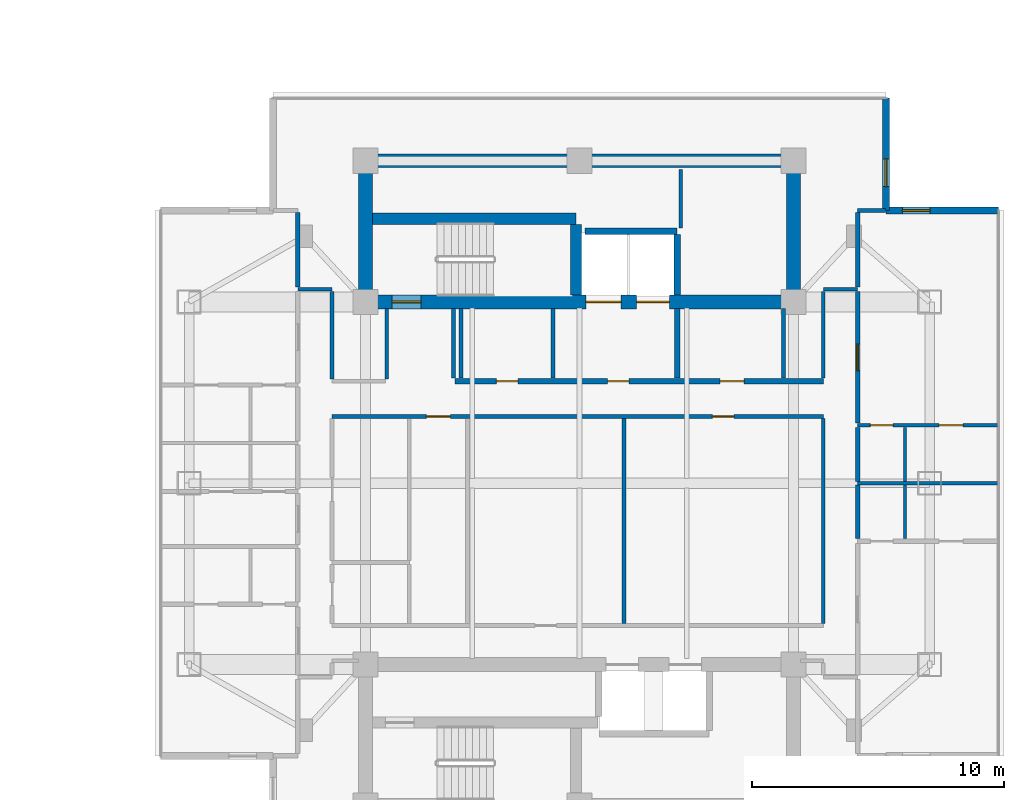
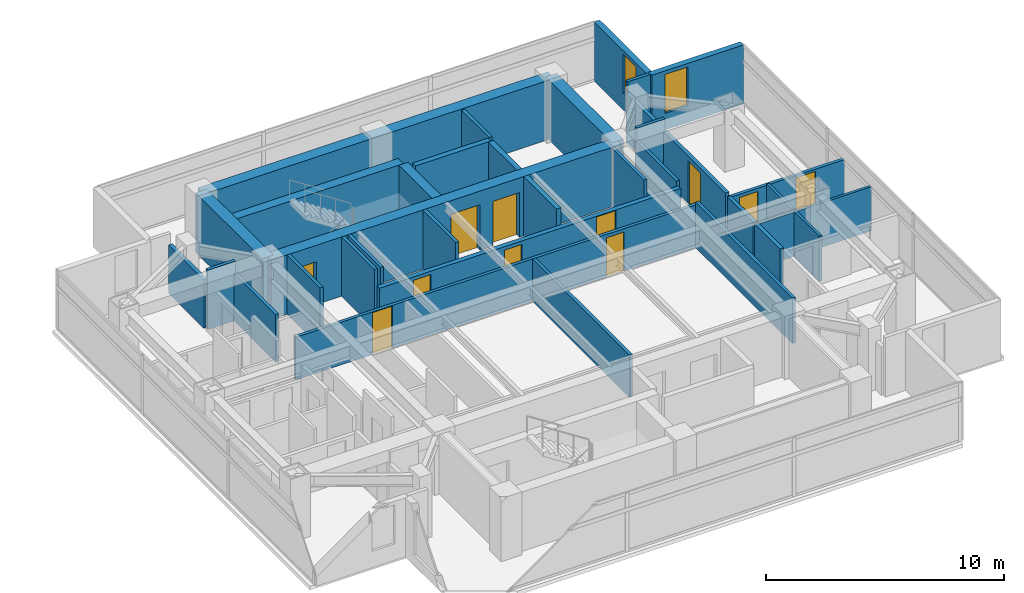
# One storey, part 17 of 24: 35 walls, 11 doors, 2 windows, 13 openings.
"""IFC4 building model written with IfcOpenShell, lengths in metres."""

from ifc_helpers import new_model, si_unit, direction, frame, frame_2d, origin, place, context, subcontext, project, spatial, rectangle, extrude, material, layer, layer_set, type_object, element, fill, save


model = new_model("IFC4")

# Units and contexts
model_context = context("Model", 3, precision=1e-05, world=origin(), true_north=direction((0.0, 1.0)))
body_context = subcontext(model_context, "Body", "Model", "MODEL_VIEW")
ifc_project = project(units=[si_unit("LENGTHUNIT", "METRE"), si_unit("AREAUNIT", "SQUARE_METRE"), si_unit("VOLUMEUNIT", "CUBIC_METRE"), si_unit("PLANEANGLEUNIT", "RADIAN"), si_unit("MASSUNIT", "GRAM", prefix="KILO")], contexts=[model_context])

# Site, building, storey
site_placement = place(None, origin())
site = spatial("IfcSite", under=ifc_project, at=site_placement, CompositionType="ELEMENT")
building_placement = place(site_placement, origin())
building = spatial("IfcBuilding", under=site, at=building_placement, Name="Mirazonda Arch Towers", CompositionType="ELEMENT")
storey_placement = place(building_placement, frame((0.0, 0.0, 154.39990234375)))
storey = spatial("IfcBuildingStorey", under=building, at=storey_placement, Name="L43", CompositionType="ELEMENT", Elevation=154.39990234375)

# Walls
ifc_material_1 = material(Name="Concrete C50/60", Category="concrete")
ifc_layer_1 = layer(ifc_material_1, 0.449951171875, Name="WALL-CORE-450")
ifc_layer_set_1 = layer_set([ifc_layer_1], Name="Concrete C50/60")
wall_type_1 = type_object("IfcWallType", Name="WALL-CORE-450", PredefinedType="SHEAR", material=ifc_layer_set_1)
wall_1_placement = place(storey_placement, frame((68.27001953125, 38.5, 0.0), z_axis=(0.0, 0.0, 1.0), x_axis=(1.0, 0.0, 0.0)))
element("IfcWall", 1, at=wall_1_placement, inside=storey, type_object=wall_type_1, Name="L43 Stair Core Shear Wall 056", PredefinedType="SHEAR", context=body_context, shape_type="SweptSolid", body=[
    extrude(rectangle(XDim=8.090087890625, YDim=0.449951171875, at=frame_2d((4.044921875, 0.0))), origin(), (0.0, 0.0, 1.0), 3.050048828125),
])
wall_2_placement = place(storey_placement, frame((76.360107421875, 35.469970703125, 0.0), z_axis=(0.0, 0.0, 1.0), x_axis=(0.0, 1.0, 0.0)))
element("IfcWall", 2, at=wall_2_placement, inside=storey, type_object=wall_type_1, Name="L43 Stair Core Shear Wall 148", PredefinedType="SHEAR", context=body_context, shape_type="SweptSolid", body=[
    extrude(rectangle(XDim=2.794921875, YDim=0.449951171875, at=frame_2d((1.3974609375, 0.0))), origin(), (0.0, 0.0, 1.0), 3.050048828125),
])
ifc_layer_2 = layer(ifc_material_1, 0.550048828125, Name="WALL-CORE-550")
ifc_layer_set_2 = layer_set([ifc_layer_2], Name="Concrete C50/60")
wall_type_2 = type_object("IfcWallType", Name="WALL-CORE-550", PredefinedType="SHEAR", material=ifc_layer_set_2)
wall_3_placement = place(storey_placement, frame((68.0, 40.800048828125, 0.0), z_axis=(0.0, 0.0, 1.0), x_axis=(1.0, 0.0, 0.0)))
element("IfcWall", 3, at=wall_3_placement, inside=storey, type_object=wall_type_2, Name="L43 T2N-N Core Shear Wall", PredefinedType="SHEAR", context=body_context, shape_type="SweptSolid", body=[
    extrude(rectangle(XDim=17.0, YDim=0.550048828125, at=frame_2d((8.5, 0.0))), origin(), (0.0, 0.0, 1.0), 3.050048828125),
])
for number, where, z_axis, x_axis, name in (
    (4, (68.0, 35.199951171875, 0.0), (0.0, 0.0, 1.0), (0.0, 1.0, 0.0), "L43 T2N-W Core Shear Wall"),
    (5, (85.0, 35.199951171875, 0.0), (0.0, 0.0, 1.0), (0.0, 1.0, 0.0), "L43 T2N-E Core Shear Wall"),
):
    element("IfcWall", number, at=place(storey_placement, frame(where, z_axis=z_axis, x_axis=x_axis)), inside=storey, type_object=wall_type_2, Name=name, PredefinedType="SHEAR", context=body_context, shape_type="SweptSolid", body=[
        extrude(rectangle(XDim=5.60009765625, YDim=0.550048828125, at=frame_2d((2.800048828125, 0.0))), origin(), (0.0, 0.0, 1.0), 3.050048828125),
    ])

# Wall, openings, doors
wall_4_placement = place(storey_placement, frame((68.0, 35.199951171875, 0.0), z_axis=(0.0, 0.0, 1.0), x_axis=(1.0, 0.0, 0.0)))
wall_4 = element("IfcWall", 6, at=wall_4_placement, inside=storey, type_object=wall_type_2, Name="L43 T2N-S Core Shear Wall", PredefinedType="SHEAR", context=body_context, shape_type="SweptSolid", body=[
    extrude(rectangle(XDim=17.0, YDim=0.550048828125, at=frame_2d((8.5, 0.0))), origin(), (0.0, 0.0, 1.0), 3.050048828125),
])
opening_1_placement = place(wall_4_placement, frame((1.06005859375, 0.0, 0.0)))
opening_1 = element("IfcOpeningElement", 7, at=opening_1_placement, cuts=wall_4, Name="Opening DR-135", PredefinedType="OPENING", context=body_context, shape_type="SweptSolid", body=[
    extrude(rectangle(XDim=1.14990234375, YDim=2.199951171875, at=frame_2d((0.574951171875, 1.10009765625))), frame((0.0, 0.284912109375, 0.0), z_axis=(0.0, -1.0, 0.0), x_axis=(1.0, 0.0, 0.0)), (0.0, 0.0, 1.0), 0.570068359375),
])
opening_2_placement = place(wall_4_placement, frame((8.75, 0.0, 0.0)))
opening_2 = element("IfcOpeningElement", 8, at=opening_2_placement, cuts=wall_4, Name="Opening LD-112", PredefinedType="OPENING", context=body_context, shape_type="SweptSolid", body=[
    extrude(rectangle(XDim=1.39990234375, YDim=2.35009765625, at=frame_2d((0.699951171875, 1.175048828125))), frame((0.0, 0.284912109375, 0.0), z_axis=(0.0, -1.0, 0.0), x_axis=(1.0, 0.0, 0.0)), (0.0, 0.0, 1.0), 0.570068359375),
])
opening_3_placement = place(wall_4_placement, frame((10.77001953125, 0.0, 0.0)))
opening_3 = element("IfcOpeningElement", 9, at=opening_3_placement, cuts=wall_4, Name="Opening LD-111", PredefinedType="OPENING", context=body_context, shape_type="SweptSolid", body=[
    extrude(rectangle(XDim=1.300048828125, YDim=2.300048828125, at=frame_2d((0.64990234375, 1.14990234375))), frame((0.0, 0.284912109375, 0.0), z_axis=(0.0, -1.0, 0.0), x_axis=(1.0, 0.0, 0.0)), (0.0, 0.0, 1.0), 0.570068359375),
])
ifc_material_2 = material(Name="Architectural Brushed Steel S355", Category="steel")
door_type_1 = type_object("IfcDoorType", Name="DOOR-LIFT-FFL-1400", OperationType="NOTDEFINED", PredefinedType="DOOR", material=ifc_material_2)
door_1_placement = place(opening_2_placement, origin())
door_1 = element("IfcDoor", 10, at=door_1_placement, inside=storey, type_object=door_type_1, Name="L43 Lift Landing Sliding Door FFL-T2", OperationType="DOUBLE_DOOR_SLIDING", OverallHeight=2.35009765625, OverallWidth=1.39990234375, PredefinedType="DOOR", context=body_context, shape_type="SweptSolid", body=[
    extrude(rectangle(XDim=1.39990234375, YDim=2.35009765625, at=frame_2d((0.699951171875, 1.175048828125))), frame((0.0, 0.02490234375, 0.0), z_axis=(0.0, -1.0, 0.0), x_axis=(1.0, 0.0, 0.0)), (0.0, 0.0, 1.0), 0.050048828125),
])
fill(opening_2, door_1)
door_type_2 = type_object("IfcDoorType", Name="DOOR-LIFT-LAND-1300", OperationType="NOTDEFINED", PredefinedType="DOOR", material=ifc_material_2)
door_2_placement = place(opening_3_placement, origin())
door_2 = element("IfcDoor", 11, at=door_2_placement, inside=storey, type_object=door_type_2, Name="L43 Lift Landing Sliding Door SVL-T2", OperationType="DOUBLE_DOOR_SLIDING", OverallHeight=2.300048828125, OverallWidth=1.300048828125, PredefinedType="DOOR", context=body_context, shape_type="SweptSolid", body=[
    extrude(rectangle(XDim=1.300048828125, YDim=2.300048828125, at=frame_2d((0.64990234375, 1.14990234375))), frame((0.0, 0.02490234375, 0.0), z_axis=(0.0, -1.0, 0.0), x_axis=(1.0, 0.0, 0.0)), (0.0, 0.0, 1.0), 0.050048828125),
])
fill(opening_3, door_2)
door_type_3 = type_object("IfcDoorType", Name="DOOR-STAIR-FD90-1150", OperationType="NOTDEFINED", PredefinedType="DOOR", material=ifc_material_2)
door_3_placement = place(opening_1_placement, origin())
door_3 = element("IfcDoor", 12, at=door_3_placement, inside=storey, type_object=door_type_3, Name="L43 East Protected Stair North Door", OperationType="SINGLE_SWING_RIGHT", OverallHeight=2.199951171875, OverallWidth=1.14990234375, PredefinedType="DOOR", context=body_context, shape_type="SweptSolid", body=[
    extrude(rectangle(XDim=1.14990234375, YDim=2.199951171875, at=frame_2d((0.574951171875, 1.10009765625))), frame((0.0, 0.02490234375, 0.0), z_axis=(0.0, -1.0, 0.0), x_axis=(1.0, 0.0, 0.0)), (0.0, 0.0, 1.0), 0.050048828125),
])
fill(opening_1, door_3)

# Wall, opening, window
ifc_material_3 = material(Name="Precast Concrete C40/50", Category="concrete")
ifc_layer_3 = layer(ifc_material_3, 0.280029296875, Name="WALL-EXT-WALL-280")
ifc_layer_set_3 = layer_set([ifc_layer_3], Name="Precast Concrete C40/50")
wall_type_3 = type_object("IfcWallType", Name="WALL-EXT-WALL-280", PredefinedType="SOLIDWALL", material=ifc_layer_set_3)
wall_5_placement = place(storey_placement, frame((88.667236328125, 38.826416015625, 0.0), z_axis=(0.0, 0.0, 1.0), x_axis=(0.0, 1.0, 0.0)))
wall_5 = element("IfcWall", 13, at=wall_5_placement, inside=storey, type_object=wall_type_3, Name="L43 T2 Notched NE Corner Wall WL-L43-T2-CNE", PredefinedType="SOLIDWALL", context=body_context, shape_type="SweptSolid", body=[
    extrude(rectangle(XDim=4.465087890625, YDim=0.280029296875, at=frame_2d((2.232421875, 0.0))), origin(), (0.0, 0.0, 1.0), 3.030029296875),
])
opening_4_placement = place(wall_5_placement, frame((0.949951171875, 0.0, 0.85009765625)))
opening_4 = element("IfcOpeningElement", 14, at=opening_4_placement, cuts=wall_5, Name="Opening WN-108", PredefinedType="OPENING", context=body_context, shape_type="SweptSolid", body=[
    extrude(rectangle(XDim=1.10009765625, YDim=2.0, at=frame_2d((0.550048828125, 1.0))), frame((0.0, 0.14990234375, 0.0), z_axis=(0.0, -1.0, 0.0), x_axis=(1.0, 0.0, 0.0)), (0.0, 0.0, 1.0), 0.300048828125),
])
ifc_material_4 = material(Name="Insulated Low-E Solar Glass", Category="glass")
window_type = type_object("IfcWindowType", Name="WIN-NOTCH-1100x2000", PartitioningType="SINGLE_PANEL", PredefinedType="WINDOW", material=ifc_material_4)
window_1_placement = place(opening_4_placement, origin())
window_1 = element("IfcWindow", 15, at=window_1_placement, inside=storey, type_object=window_type, Name="L43 Punched Facade Window WN-L43-T2-CNE", OverallHeight=2.0, OverallWidth=1.10009765625, PartitioningType="SINGLE_PANEL", PredefinedType="WINDOW", context=body_context, shape_type="SweptSolid", body=[
    extrude(rectangle(XDim=1.10009765625, YDim=2.0, at=frame_2d((0.550048828125, 1.0))), frame((0.0, 0.030029296875, 0.0), z_axis=(0.0, -1.0, 0.0), x_axis=(1.0, 0.0, 0.0)), (0.0, 0.0, 1.0), 0.06005859375),
])
fill(opening_4, window_1)

wall_6_placement = place(storey_placement, frame((93.132568359375, 38.826416015625, 0.0), z_axis=(0.0, 0.0, 1.0), x_axis=(-1.0, 0.0, 0.0)))
wall_6 = element("IfcWall", 16, at=wall_6_placement, inside=storey, type_object=wall_type_3, Name="L43 T2 Corner Notch Return Wall WL-L43-T2-CNE2", PredefinedType="SOLIDWALL", context=body_context, shape_type="SweptSolid", body=[
    extrude(rectangle(XDim=4.46533203125, YDim=0.280029296875, at=frame_2d((2.232666015625, 0.0))), origin(), (0.0, 0.0, 1.0), 3.030029296875),
])
opening_5_placement = place(wall_6_placement, frame((2.715087890625, 0.0, 0.85009765625)))
opening_5 = element("IfcOpeningElement", 17, at=opening_5_placement, cuts=wall_6, Name="Opening WN-108", PredefinedType="OPENING", context=body_context, shape_type="SweptSolid", body=[
    extrude(rectangle(XDim=1.10009765625, YDim=2.0, at=frame_2d((0.550048828125, 1.0))), frame((0.0, 0.14990234375, 0.0), z_axis=(0.0, -1.0, 0.0), x_axis=(1.0, 0.0, 0.0)), (0.0, 0.0, 1.0), 0.300048828125),
])
window_2_placement = place(opening_5_placement, origin())
window_2 = element("IfcWindow", 18, at=window_2_placement, inside=storey, type_object=window_type, Name="L43 Punched Facade Window WN-L43-T2-CNE2", OverallHeight=2.0, OverallWidth=1.10009765625, PartitioningType="SINGLE_PANEL", PredefinedType="WINDOW", context=body_context, shape_type="SweptSolid", body=[
    extrude(rectangle(XDim=1.10009765625, YDim=2.0, at=frame_2d((0.550048828125, 1.0))), frame((0.0, 0.030029296875, 0.0), z_axis=(0.0, -1.0, 0.0), x_axis=(1.0, 0.0, 0.0)), (0.0, 0.0, 1.0), 0.06005859375),
])
fill(opening_5, window_2)

# Wall, openings, doors
ifc_material_5 = material(Name="Concrete C40/50", Category="concrete")
ifc_layer_4 = layer(ifc_material_5, 0.219970703125, Name="WALL-FFL-220")
ifc_layer_set_4 = layer_set([ifc_layer_4], Name="Concrete C40/50")
wall_type_4 = type_object("IfcWallType", Name="WALL-FFL-220", PredefinedType="SOLIDWALL", material=ifc_layer_set_4)
wall_7_placement = place(storey_placement, frame((71.550048828125, 32.050048828125, 0.0), z_axis=(0.0, 0.0, 1.0), x_axis=(1.0, 0.0, 0.0)))
wall_7 = element("IfcWall", 19, at=wall_7_placement, inside=storey, type_object=wall_type_4, Name="L43 Interior Partition 046", PredefinedType="SOLIDWALL", context=body_context, shape_type="SweptSolid", body=[
    extrude(rectangle(XDim=14.6298828125, YDim=0.219970703125, at=frame_2d((7.31494140625, 0.0))), origin(), (0.0, 0.0, 1.0), 2.18603515625),
])
opening_6_placement = place(wall_7_placement, frame((6.06494140625, 0.0, 0.0)))
opening_6 = element("IfcOpeningElement", 20, at=opening_6_placement, cuts=wall_7, Name="Opening DR-128", PredefinedType="OPENING", context=body_context, shape_type="SweptSolid", body=[
    extrude(rectangle(XDim=0.85009765625, YDim=2.010009765625, at=frame_2d((0.425048828125, 1.0048828125))), frame((0.0, 0.119873046875, 0.0), z_axis=(0.0, -1.0, 0.0), x_axis=(1.0, 0.0, 0.0)), (0.0, 0.0, 1.0), 0.239990234375),
])
opening_7_placement = place(wall_7_placement, frame((10.534912109375, 0.0, 0.0)))
opening_7 = element("IfcOpeningElement", 21, at=opening_7_placement, cuts=wall_7, Name="Opening DR-104", PredefinedType="OPENING", context=body_context, shape_type="SweptSolid", body=[
    extrude(rectangle(XDim=0.949951171875, YDim=2.14990234375, at=frame_2d((0.47509765625, 1.074951171875))), frame((0.0, 0.119873046875, 0.0), z_axis=(0.0, -1.0, 0.0), x_axis=(1.0, 0.0, 0.0)), (0.0, 0.0, 1.0), 0.239990234375),
])
opening_8_placement = place(wall_7_placement, frame((1.64990234375, 0.0, 0.0)))
opening_8 = element("IfcOpeningElement", 22, at=opening_8_placement, cuts=wall_7, Name="Opening DR-128", PredefinedType="OPENING", context=body_context, shape_type="SweptSolid", body=[
    extrude(rectangle(XDim=0.85009765625, YDim=2.010009765625, at=frame_2d((0.425048828125, 1.0048828125))), frame((0.0, 0.119873046875, 0.0), z_axis=(0.0, -1.0, 0.0), x_axis=(1.0, 0.0, 0.0)), (0.0, 0.0, 1.0), 0.239990234375),
])
door_type_4 = type_object("IfcDoorType", Name="DOOR-RISER-FD60-850", OperationType="NOTDEFINED", PredefinedType="DOOR", material=ifc_material_2)
door_4_placement = place(opening_6_placement, origin())
door_4 = element("IfcDoor", 23, at=door_4_placement, inside=storey, type_object=door_type_4, Name="L43 East Firefighting Lift Lobby Door", OperationType="SINGLE_SWING_LEFT", OverallHeight=2.010009765625, OverallWidth=0.85009765625, PredefinedType="DOOR", context=body_context, shape_type="SweptSolid", body=[
    extrude(rectangle(XDim=0.85009765625, YDim=2.010009765625, at=frame_2d((0.425048828125, 1.0048828125))), frame((0.0, 0.02490234375, 0.0), z_axis=(0.0, -1.0, 0.0), x_axis=(1.0, 0.0, 0.0)), (0.0, 0.0, 1.0), 0.050048828125),
])
fill(opening_6, door_4)
door_5_placement = place(opening_8_placement, origin())
door_5 = element("IfcDoor", 24, at=door_5_placement, inside=storey, type_object=door_type_4, Name="L43 Tower 2 Housekeeping & Linen Room Door", OperationType="SINGLE_SWING_LEFT", OverallHeight=2.010009765625, OverallWidth=0.85009765625, PredefinedType="DOOR", context=body_context, shape_type="SweptSolid", body=[
    extrude(rectangle(XDim=0.85009765625, YDim=2.010009765625, at=frame_2d((0.425048828125, 1.0048828125))), frame((0.0, 0.02490234375, 0.0), z_axis=(0.0, -1.0, 0.0), x_axis=(1.0, 0.0, 0.0)), (0.0, 0.0, 1.0), 0.050048828125),
])
fill(opening_8, door_5)
door_type_5 = type_object("IfcDoorType", Name="DOOR-ROOM-950", OperationType="NOTDEFINED", PredefinedType="DOOR", material=ifc_material_2)
door_6_placement = place(opening_7_placement, origin())
door_6 = element("IfcDoor", 25, at=door_6_placement, inside=storey, type_object=door_type_5, Name="L43 East Sky Reading Library Door", OperationType="SINGLE_SWING_RIGHT", OverallHeight=2.14990234375, OverallWidth=0.949951171875, PredefinedType="DOOR", context=body_context, shape_type="SweptSolid", body=[
    extrude(rectangle(XDim=0.949951171875, YDim=2.14990234375, at=frame_2d((0.47509765625, 1.074951171875))), frame((0.0, 0.02490234375, 0.0), z_axis=(0.0, -1.0, 0.0), x_axis=(1.0, 0.0, 0.0)), (0.0, 0.0, 1.0), 0.050048828125),
])
fill(opening_7, door_6)

# Wall
wall_8_placement = place(storey_placement, frame((80.3798828125, 32.169921875, 0.0), z_axis=(0.0, 0.0, 1.0), x_axis=(0.0, 1.0, 0.0)))
element("IfcWall", 26, at=wall_8_placement, inside=storey, type_object=wall_type_4, Name="L43 Interior Partition 151", PredefinedType="SOLIDWALL", context=body_context, shape_type="SweptSolid", body=[
    extrude(rectangle(XDim=2.760009765625, YDim=0.219970703125, at=frame_2d((1.3798828125, 0.0))), origin(), (0.0, 0.0, 1.0), 3.050048828125),
])

# Wall, openings, doors
ifc_material_6 = material(Name="Fire-Rated Gypsum Stud Partition")
ifc_layer_5 = layer(ifc_material_6, 0.14990234375, Name="WALL-PART-CORR-150")
ifc_layer_set_5 = layer_set([ifc_layer_5], Name="Fire-Rated Gypsum Stud Partition")
wall_type_5 = type_object("IfcWallType", Name="WALL-PART-CORR-150", PredefinedType="PARTITIONING", material=ifc_layer_set_5)
wall_9_placement = place(storey_placement, frame((87.5400390625, 30.300048828125, 0.0), z_axis=(0.0, 0.0, 1.0), x_axis=(1.0, 0.0, 0.0)))
wall_9 = element("IfcWall", 27, at=wall_9_placement, inside=storey, type_object=wall_type_5, Name="L43 Interior Partition 040", PredefinedType="PARTITIONING", context=body_context, shape_type="SweptSolid", body=[
    extrude(rectangle(XDim=5.593017578125, YDim=0.14990234375, at=frame_2d((2.79638671875, 0.0))), origin(), (0.0, 0.0, 1.0), 2.26904296875),
])
opening_9_placement = place(wall_9_placement, frame((3.241455078125, 0.0, 0.0)))
opening_9 = element("IfcOpeningElement", 28, at=opening_9_placement, cuts=wall_9, Name="Opening DR-104", PredefinedType="OPENING", context=body_context, shape_type="SweptSolid", body=[
    extrude(rectangle(XDim=0.949951171875, YDim=2.14990234375, at=frame_2d((0.47509765625, 1.074951171875))), frame((0.0, 0.0849609375, 0.0), z_axis=(0.0, -1.0, 0.0), x_axis=(1.0, 0.0, 0.0)), (0.0, 0.0, 1.0), 0.169921875),
])
opening_10_placement = place(wall_9_placement, frame((0.510009765625, 0.0, 0.0)))
opening_10 = element("IfcOpeningElement", 29, at=opening_10_placement, cuts=wall_9, Name="Opening DR-120", PredefinedType="OPENING", context=body_context, shape_type="SweptSolid", body=[
    extrude(rectangle(XDim=0.89990234375, YDim=2.10009765625, at=frame_2d((0.449951171875, 1.050048828125))), frame((0.0, 0.0849609375, 0.0), z_axis=(0.0, -1.0, 0.0), x_axis=(1.0, 0.0, 0.0)), (0.0, 0.0, 1.0), 0.169921875),
])
door_7_placement = place(opening_9_placement, origin())
door_7 = element("IfcDoor", 30, at=door_7_placement, inside=storey, type_object=door_type_5, Name="L43 Studio 2 Galley Kitchen Door", OperationType="SINGLE_SWING_LEFT", OverallHeight=2.14990234375, OverallWidth=0.949951171875, PredefinedType="DOOR", context=body_context, shape_type="SweptSolid", body=[
    extrude(rectangle(XDim=0.949951171875, YDim=2.14990234375, at=frame_2d((0.47509765625, 1.074951171875))), frame((0.0, 0.02490234375, 0.0), z_axis=(0.0, -1.0, 0.0), x_axis=(1.0, 0.0, 0.0)), (0.0, 0.0, 1.0), 0.050048828125),
])
fill(opening_9, door_7)
door_type_6 = type_object("IfcDoorType", Name="DOOR-WC-900", OperationType="NOTDEFINED", PredefinedType="DOOR", material=ifc_material_2)
door_8_placement = place(opening_10_placement, origin())
door_8 = element("IfcDoor", 31, at=door_8_placement, inside=storey, type_object=door_type_6, Name="L43 Studio 2 Bathroom Door", OperationType="SINGLE_SWING_RIGHT", OverallHeight=2.10009765625, OverallWidth=0.89990234375, PredefinedType="DOOR", context=body_context, shape_type="SweptSolid", body=[
    extrude(rectangle(XDim=0.89990234375, YDim=2.10009765625, at=frame_2d((0.449951171875, 1.050048828125))), frame((0.0, 0.02490234375, 0.0), z_axis=(0.0, -1.0, 0.0), x_axis=(1.0, 0.0, 0.0)), (0.0, 0.0, 1.0), 0.050048828125),
])
fill(opening_10, door_8)

wall_10_placement = place(storey_placement, frame((66.679931640625, 30.64990234375, 0.0), z_axis=(0.0, 0.0, 1.0), x_axis=(1.0, 0.0, 0.0)))
wall_10 = element("IfcWall", 32, at=wall_10_placement, inside=storey, type_object=wall_type_5, Name="L43 Interior Partition 041", PredefinedType="PARTITIONING", context=body_context, shape_type="SweptSolid", body=[
    extrude(rectangle(XDim=19.5, YDim=0.14990234375, at=frame_2d((9.75, 0.0))), origin(), (0.0, 0.0, 1.0), 2.18603515625),
])
opening_11_placement = place(wall_10_placement, frame((3.7451171875, 0.0, 0.0)))
opening_11 = element("IfcOpeningElement", 33, at=opening_11_placement, cuts=wall_10, Name="Opening DR-104", PredefinedType="OPENING", context=body_context, shape_type="SweptSolid", body=[
    extrude(rectangle(XDim=0.949951171875, YDim=2.14990234375, at=frame_2d((0.47509765625, 1.074951171875))), frame((0.0, 0.0849609375, 0.0), z_axis=(0.0, -1.0, 0.0), x_axis=(1.0, 0.0, 0.0)), (0.0, 0.0, 1.0), 0.169921875),
])
opening_12_placement = place(wall_10_placement, frame((15.098388671875, 0.0, 0.0)))
opening_12 = element("IfcOpeningElement", 34, at=opening_12_placement, cuts=wall_10, Name="Opening DR-128", PredefinedType="OPENING", context=body_context, shape_type="SweptSolid", body=[
    extrude(rectangle(XDim=0.85009765625, YDim=2.010009765625, at=frame_2d((0.425048828125, 1.0048828125))), frame((0.0, 0.0849609375, 0.0), z_axis=(0.0, -1.0, 0.0), x_axis=(1.0, 0.0, 0.0)), (0.0, 0.0, 1.0), 0.169921875),
])
door_9_placement = place(opening_12_placement, origin())
door_9 = element("IfcDoor", 35, at=door_9_placement, inside=storey, type_object=door_type_4, Name="L43 Chamber Music & Screening Salon Door", OperationType="SINGLE_SWING_RIGHT", OverallHeight=2.010009765625, OverallWidth=0.85009765625, PredefinedType="DOOR", context=body_context, shape_type="SweptSolid", body=[
    extrude(rectangle(XDim=0.85009765625, YDim=2.010009765625, at=frame_2d((0.425048828125, 1.0048828125))), frame((0.0, 0.02490234375, 0.0), z_axis=(0.0, -1.0, 0.0), x_axis=(1.0, 0.0, 0.0)), (0.0, 0.0, 1.0), 0.050048828125),
])
fill(opening_12, door_9)
door_10_placement = place(opening_11_placement, origin())
door_10 = element("IfcDoor", 36, at=door_10_placement, inside=storey, type_object=door_type_5, Name="L43 L43 East Courtyard Study Door", OperationType="SINGLE_SWING_RIGHT", OverallHeight=2.14990234375, OverallWidth=0.949951171875, PredefinedType="DOOR", context=body_context, shape_type="SweptSolid", body=[
    extrude(rectangle(XDim=0.949951171875, YDim=2.14990234375, at=frame_2d((0.47509765625, 1.074951171875))), frame((0.0, 0.02490234375, 0.0), z_axis=(0.0, -1.0, 0.0), x_axis=(1.0, 0.0, 0.0)), (0.0, 0.0, 1.0), 0.050048828125),
])
fill(opening_11, door_10)

# Walls
wall_11_placement = place(storey_placement, frame((65.320068359375, 35.699951171875, 0.0), z_axis=(0.0, 0.0, 1.0), x_axis=(1.0, 0.0, 0.0)))
element("IfcWall", 37, at=wall_11_placement, inside=storey, type_object=wall_type_5, Name="L43 Interior Partition 053", PredefinedType="PARTITIONING", context=body_context, shape_type="SweptSolid", body=[
    extrude(rectangle(XDim=1.35986328125, YDim=0.14990234375, at=frame_2d((0.679931640625, 0.0))), origin(), (0.0, 0.0, 1.0), 3.050048828125),
])
wall_12_placement = place(storey_placement, frame((86.179931640625, 35.699951171875, 0.0), z_axis=(0.0, 0.0, 1.0), x_axis=(1.0, 0.0, 0.0)))
element("IfcWall", 38, at=wall_12_placement, inside=storey, type_object=wall_type_5, Name="L43 Interior Partition 054", PredefinedType="PARTITIONING", context=body_context, shape_type="SweptSolid", body=[
    extrude(rectangle(XDim=1.360107421875, YDim=0.14990234375, at=frame_2d((0.68017578125, 0.0))), origin(), (0.0, 0.0, 1.0), 3.050048828125),
])
wall_13_placement = place(storey_placement, frame((87.5400390625, 38.825927734375, 0.0), z_axis=(0.0, 0.0, 1.0), x_axis=(1.0, 0.0, 0.0)))
element("IfcWall", 39, at=wall_13_placement, inside=storey, type_object=wall_type_5, Name="L43 Interior Partition 058", PredefinedType="PARTITIONING", context=body_context, shape_type="SweptSolid", body=[
    extrude(rectangle(XDim=1.107177734375, YDim=0.14990234375, at=frame_2d((0.5537109375, 0.0))), origin(), (0.0, 0.0, 1.0), 3.050048828125),
])
wall_14_placement = place(storey_placement, frame((66.679931640625, 32.135009765625, 0.0), z_axis=(0.0, 0.0, 1.0), x_axis=(0.0, 1.0, 0.0)))
element("IfcWall", 40, at=wall_14_placement, inside=storey, type_object=wall_type_5, Name="L43 Interior Partition 139", PredefinedType="PARTITIONING", context=body_context, shape_type="SweptSolid", body=[
    extrude(rectangle(XDim=3.47998046875, YDim=0.14990234375, at=frame_2d((1.739990234375, 0.0))), origin(), (0.0, 0.0, 1.0), 2.442138671875),
])
wall_15_placement = place(storey_placement, frame((68.85009765625, 32.135009765625, 0.0), z_axis=(0.0, 0.0, 1.0), x_axis=(0.0, 1.0, 0.0)))
element("IfcWall", 41, at=wall_15_placement, inside=storey, type_object=wall_type_5, Name="L43 Interior Partition 140", PredefinedType="PARTITIONING", context=body_context, shape_type="SweptSolid", body=[
    extrude(rectangle(XDim=2.794921875, YDim=0.14990234375, at=frame_2d((1.3974609375, 0.0))), origin(), (0.0, 0.0, 1.0), 3.050048828125),
])
for number, where, z_axis, x_axis, name in (
    (42, (71.5, 32.169921875, 0.0), (0.0, 0.0, 1.0), (0.0, 1.0, 0.0), "L43 Interior Partition 143"),
    (43, (71.800048828125, 32.169921875, 0.0), (0.0, 0.0, 1.0), (0.0, 1.0, 0.0), "L43 Interior Partition 144"),
    (44, (75.449951171875, 32.169921875, 0.0), (0.0, 0.0, 1.0), (0.0, 1.0, 0.0), "L43 Interior Partition 146"),
):
    element("IfcWall", number, at=place(storey_placement, frame(where, z_axis=z_axis, x_axis=x_axis)), inside=storey, type_object=wall_type_5, Name=name, PredefinedType="PARTITIONING", context=body_context, shape_type="SweptSolid", body=[
        extrude(rectangle(XDim=2.760009765625, YDim=0.14990234375, at=frame_2d((1.3798828125, 0.0))), origin(), (0.0, 0.0, 1.0), 3.050048828125),
    ])
wall_16_placement = place(storey_placement, frame((78.26708984375, 22.43505859375, 0.0), z_axis=(0.0, 0.0, 1.0), x_axis=(0.0, 1.0, 0.0)))
element("IfcWall", 45, at=wall_16_placement, inside=storey, type_object=wall_type_5, Name="L43 Interior Partition 150", PredefinedType="PARTITIONING", context=body_context, shape_type="SweptSolid", body=[
    extrude(rectangle(XDim=8.1298828125, YDim=0.14990234375, at=frame_2d((4.06494140625, 0.0))), origin(), (0.0, 0.0, 1.0), 2.18603515625),
])
wall_17_placement = place(storey_placement, frame((80.52001953125, 38.135009765625, 0.0), z_axis=(0.0, 0.0, 1.0), x_axis=(0.0, 1.0, 0.0)))
element("IfcWall", 46, at=wall_17_placement, inside=storey, type_object=wall_type_5, Name="L43 Interior Partition 153", PredefinedType="PARTITIONING", context=body_context, shape_type="SweptSolid", body=[
    extrude(rectangle(XDim=2.31494140625, YDim=0.14990234375, at=frame_2d((1.157470703125, 0.0))), origin(), (0.0, 0.0, 1.0), 3.050048828125),
])
wall_18_placement = place(storey_placement, frame((84.60009765625, 32.169921875, 0.0), z_axis=(0.0, 0.0, 1.0), x_axis=(0.0, 1.0, 0.0)))
element("IfcWall", 47, at=wall_18_placement, inside=storey, type_object=wall_type_5, Name="L43 Interior Partition 155", PredefinedType="PARTITIONING", context=body_context, shape_type="SweptSolid", body=[
    extrude(rectangle(XDim=2.760009765625, YDim=0.14990234375, at=frame_2d((1.3798828125, 0.0))), origin(), (0.0, 0.0, 1.0), 3.050048828125),
])
wall_19_placement = place(storey_placement, frame((86.179931640625, 22.43505859375, 0.0), z_axis=(0.0, 0.0, 1.0), x_axis=(0.0, 1.0, 0.0)))
element("IfcWall", 48, at=wall_19_placement, inside=storey, type_object=wall_type_5, Name="L43 Interior Partition 157", PredefinedType="PARTITIONING", context=body_context, shape_type="SweptSolid", body=[
    extrude(rectangle(XDim=8.1298828125, YDim=0.14990234375, at=frame_2d((4.06494140625, 0.0))), origin(), (0.0, 0.0, 1.0), 2.34619140625),
])
wall_20_placement = place(storey_placement, frame((86.179931640625, 32.169921875, 0.0), z_axis=(0.0, 0.0, 1.0), x_axis=(0.0, 1.0, 0.0)))
element("IfcWall", 49, at=wall_20_placement, inside=storey, type_object=wall_type_5, Name="L43 Interior Partition 158", PredefinedType="PARTITIONING", context=body_context, shape_type="SweptSolid", body=[
    extrude(rectangle(XDim=3.445068359375, YDim=0.14990234375, at=frame_2d((1.72265625, 0.0))), origin(), (0.0, 0.0, 1.0), 2.442138671875),
])
ifc_material_7 = material(Name="Fire-Rated Gypsum Twin-Stud Assembly")
ifc_layer_6 = layer(ifc_material_7, 0.179931640625, Name="WALL-PART-DEMISE-180")
ifc_layer_set_6 = layer_set([ifc_layer_6], Name="Fire-Rated Gypsum Twin-Stud Assembly")
wall_type_6 = type_object("IfcWallType", Name="WALL-PART-DEMISE-180", PredefinedType="PARTITIONING", material=ifc_layer_set_6)
wall_21_placement = place(storey_placement, frame((65.320068359375, 35.784912109375, 0.0), z_axis=(0.0, 0.0, 1.0), x_axis=(0.0, 1.0, 0.0)))
element("IfcWall", 50, at=wall_21_placement, inside=storey, type_object=wall_type_6, Name="L43 Interior Partition 135", PredefinedType="PARTITIONING", context=body_context, shape_type="SweptSolid", body=[
    extrude(rectangle(XDim=2.9560546875, YDim=0.179931640625, at=frame_2d((1.47802734375, 0.0))), origin(), (0.0, 0.0, 1.0), 2.4931640625),
])
wall_22_placement = place(storey_placement, frame((87.5400390625, 25.800048828125, 0.0), z_axis=(0.0, 0.0, 1.0), x_axis=(0.0, 1.0, 0.0)))
element("IfcWall", 51, at=wall_22_placement, inside=storey, type_object=wall_type_6, Name="L43 Interior Partition 161", PredefinedType="PARTITIONING", context=body_context, shape_type="SweptSolid", body=[
    extrude(rectangle(XDim=2.12744140625, YDim=0.179931640625, at=frame_2d((1.063720703125, 0.0))), origin(), (0.0, 0.0, 1.0), 2.34619140625),
])
wall_23_placement = place(storey_placement, frame((87.5400390625, 28.072509765625, 0.0), z_axis=(0.0, 0.0, 1.0), x_axis=(0.0, 1.0, 0.0)))
element("IfcWall", 52, at=wall_23_placement, inside=storey, type_object=wall_type_6, Name="L43 Interior Partition 162", PredefinedType="PARTITIONING", context=body_context, shape_type="SweptSolid", body=[
    extrude(rectangle(XDim=2.142578125, YDim=0.179931640625, at=frame_2d((1.0712890625, 0.0))), origin(), (0.0, 0.0, 1.0), 2.34619140625),
])

# Wall, opening, door
wall_24_placement = place(storey_placement, frame((87.5400390625, 30.385009765625, 0.0), z_axis=(0.0, 0.0, 1.0), x_axis=(0.0, 1.0, 0.0)))
wall_24 = element("IfcWall", 53, at=wall_24_placement, inside=storey, type_object=wall_type_6, Name="L43 Interior Partition 163", PredefinedType="PARTITIONING", context=body_context, shape_type="SweptSolid", body=[
    extrude(rectangle(XDim=5.22998046875, YDim=0.179931640625, at=frame_2d((2.614990234375, 0.0))), origin(), (0.0, 0.0, 1.0), 2.442138671875),
])
opening_13_placement = place(wall_24_placement, frame((2.090087890625, 0.0, 0.0)))
opening_13 = element("IfcOpeningElement", 54, at=opening_13_placement, cuts=wall_24, Name="Opening DR-121", PredefinedType="OPENING", context=body_context, shape_type="SweptSolid", body=[
    extrude(rectangle(XDim=1.050048828125, YDim=2.199951171875, at=frame_2d((0.52490234375, 1.10009765625))), frame((0.0, 0.099853515625, 0.0), z_axis=(0.0, -1.0, 0.0), x_axis=(1.0, 0.0, 0.0)), (0.0, 0.0, 1.0), 0.199951171875),
])
door_type_7 = type_object("IfcDoorType", Name="DOOR-SUITE-FD60-1050", OperationType="NOTDEFINED", PredefinedType="DOOR", material=ifc_material_2)
door_11_placement = place(opening_13_placement, origin())
door_11 = element("IfcDoor", 55, at=door_11_placement, inside=storey, type_object=door_type_7, Name="L43 Studio Apartment 2 Living Salon Door", OperationType="SINGLE_SWING_RIGHT", OverallHeight=2.199951171875, OverallWidth=1.050048828125, PredefinedType="DOOR", context=body_context, shape_type="SweptSolid", body=[
    extrude(rectangle(XDim=1.050048828125, YDim=2.199951171875, at=frame_2d((0.52490234375, 1.10009765625))), frame((0.0, 0.02490234375, 0.0), z_axis=(0.0, -1.0, 0.0), x_axis=(1.0, 0.0, 0.0)), (0.0, 0.0, 1.0), 0.050048828125),
])
fill(opening_13, door_11)

# Walls
wall_25_placement = place(storey_placement, frame((87.5400390625, 35.784912109375, 0.0), z_axis=(0.0, 0.0, 1.0), x_axis=(0.0, 1.0, 0.0)))
element("IfcWall", 56, at=wall_25_placement, inside=storey, type_object=wall_type_6, Name="L43 Interior Partition 164", PredefinedType="PARTITIONING", context=body_context, shape_type="SweptSolid", body=[
    extrude(rectangle(XDim=2.9560546875, YDim=0.179931640625, at=frame_2d((1.47802734375, 0.0))), origin(), (0.0, 0.0, 1.0), 2.4931640625),
])
ifc_material_8 = material(Name="Acoustic Fire-Rated Gypsum Partition")
ifc_layer_7 = layer(ifc_material_8, 0.125, Name="WALL-PART-UNIT-125")
ifc_layer_set_7 = layer_set([ifc_layer_7], Name="Acoustic Fire-Rated Gypsum Partition")
wall_type_7 = type_object("IfcWallType", Name="WALL-PART-UNIT-125", PredefinedType="PARTITIONING", material=ifc_layer_set_7)
wall_26_placement = place(storey_placement, frame((87.5400390625, 28.0, 0.0), z_axis=(0.0, 0.0, 1.0), x_axis=(1.0, 0.0, 0.0)))
element("IfcWall", 57, at=wall_26_placement, inside=storey, type_object=wall_type_7, Name="L43 Interior Partition 036", PredefinedType="PARTITIONING", context=body_context, shape_type="SweptSolid", body=[
    extrude(rectangle(XDim=5.593017578125, YDim=0.125, at=frame_2d((2.79638671875, 0.0))), origin(), (0.0, 0.0, 1.0), 2.26904296875),
])
wall_27_placement = place(storey_placement, frame((89.419921875, 25.800048828125, 0.0), z_axis=(0.0, 0.0, 1.0), x_axis=(0.0, 1.0, 0.0)))
element("IfcWall", 58, at=wall_27_placement, inside=storey, type_object=wall_type_7, Name="L43 Interior Partition 165", PredefinedType="PARTITIONING", context=body_context, shape_type="SweptSolid", body=[
    extrude(rectangle(XDim=2.12744140625, YDim=0.125, at=frame_2d((1.063720703125, 0.0))), origin(), (0.0, 0.0, 1.0), 2.34619140625),
])
wall_28_placement = place(storey_placement, frame((89.419921875, 28.072509765625, 0.0), z_axis=(0.0, 0.0, 1.0), x_axis=(0.0, 1.0, 0.0)))
element("IfcWall", 59, at=wall_28_placement, inside=storey, type_object=wall_type_7, Name="L43 Interior Partition 166", PredefinedType="PARTITIONING", context=body_context, shape_type="SweptSolid", body=[
    extrude(rectangle(XDim=2.142578125, YDim=0.125, at=frame_2d((1.0712890625, 0.0))), origin(), (0.0, 0.0, 1.0), 2.34619140625),
])
ifc_layer_8 = layer(ifc_material_5, 0.25, Name="WALL-SHAFT-250")
ifc_layer_set_8 = layer_set([ifc_layer_8], Name="Concrete C40/50")
wall_type_8 = type_object("IfcWallType", Name="WALL-SHAFT-250", PredefinedType="SOLIDWALL", material=ifc_layer_set_8)
wall_29_placement = place(storey_placement, frame((76.719970703125, 38.0, 0.0), z_axis=(0.0, 0.0, 1.0), x_axis=(1.0, 0.0, 0.0)))
element("IfcWall", 60, at=wall_29_placement, inside=storey, type_object=wall_type_8, Name="L43 Interior Partition 055", PredefinedType="SOLIDWALL", context=body_context, shape_type="SweptSolid", body=[
    extrude(rectangle(XDim=3.659912109375, YDim=0.25, at=frame_2d((1.830078125, 0.0))), origin(), (0.0, 0.0, 1.0), 3.050048828125),
])
wall_30_placement = place(storey_placement, frame((80.3798828125, 35.469970703125, 0.0), z_axis=(0.0, 0.0, 1.0), x_axis=(0.0, 1.0, 0.0)))
element("IfcWall", 61, at=wall_30_placement, inside=storey, type_object=wall_type_8, Name="L43 Interior Partition 152", PredefinedType="SOLIDWALL", context=body_context, shape_type="SweptSolid", body=[
    extrude(rectangle(XDim=2.39501953125, YDim=0.25, at=frame_2d((1.197509765625, 0.0))), origin(), (0.0, 0.0, 1.0), 3.050048828125),
])

save(model, "model.ifc")
